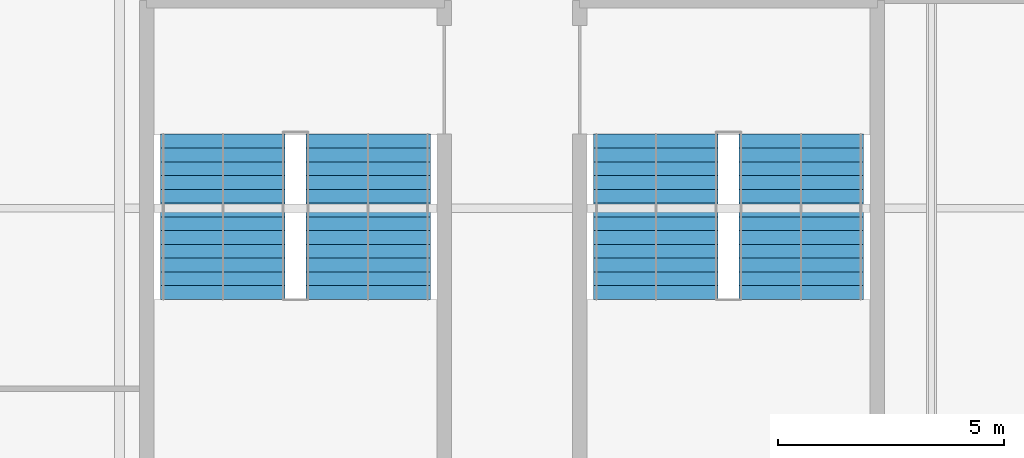
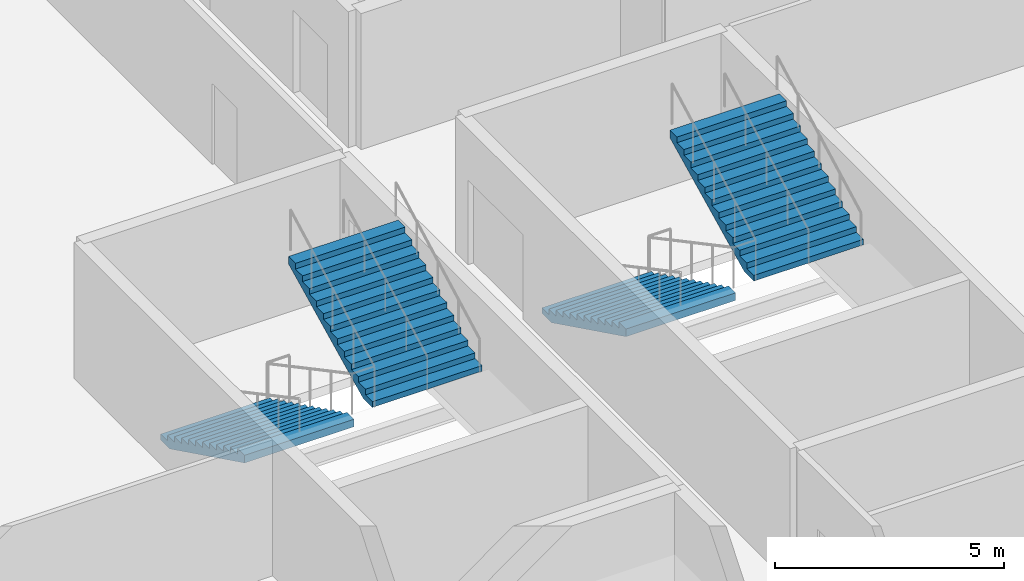
# One storey, part 88 of 98: 4 stair flights, 2 elements without a shape of their own.
"""IFC4 building model written with IfcOpenShell, lengths in metres."""

import ifcopenshell
import ifcopenshell.guid

model = None  # the IFC model being written
_history = None  # IfcOwnerHistory: only IFC2X3 demands one
_inside = {}  # id of a spatial element -> (the spatial element, [elements in it])
_under = {}  # id of a project, library or spatial element -> (it, [spatial elements below it])
_declared = {}  # id of a project -> (the project, [libraries it declares])
_typed = {}  # id of a type object -> (the type object, [elements of that type])
_made_of = {}  # id of a material, layer set ... -> (it, [elements and type objects made of it])


def new_model(schema):
    """Start an empty IFC model of exactly this schema.

    Asked for "IFC4X3", IfcOpenShell would pick the latest addendum, in which some entities
    have other attributes; the version numbers below select the first issue.
    IFC2X3 requires an IfcOwnerHistory on every rooted entity: one is made here for all.
    """
    global model, _history
    if schema == "IFC4X3":
        model = ifcopenshell.file(schema_version=(4, 3, 0, 0))
    else:
        model = ifcopenshell.file(schema=schema)
    _inside.clear()
    _under.clear()
    _declared.clear()
    _typed.clear()
    _made_of.clear()
    _history = None
    if model.schema == "IFC2X3":
        org = make("IfcOrganization", Name="unknown")
        user = make(
            "IfcPersonAndOrganization",
            ThePerson=make("IfcPerson", FamilyName="unknown"),
            TheOrganization=org,
        )
        app = make(
            "IfcApplication",
            ApplicationDeveloper=org,
            Version="unknown",
            ApplicationFullName="unknown",
            ApplicationIdentifier="unknown",
        )
        _history = make(
            "IfcOwnerHistory",
            OwningUser=user,
            OwningApplication=app,
            ChangeAction="ADDED",
            CreationDate=0,
        )
    return model


def make(cls, **values):
    """One entity of the class cls with the attributes given. An attribute that is None is left unset."""
    return model.create_entity(
        cls, **{name: value for name, value in values.items() if value is not None}
    )


def rooted(cls, **values):
    """An entity with a GlobalId (a new one), such as an element, a storey or a relation."""
    return make(cls, GlobalId=ifcopenshell.guid.new(), OwnerHistory=_history, **values)


def si_unit(unit_type, name, prefix=None):
    """IfcSIUnit, for example si_unit("LENGTHUNIT", "METRE", prefix="MILLI")."""
    return make("IfcSIUnit", UnitType=unit_type, Prefix=prefix, Name=name)


def assignment(units):
    """IfcUnitAssignment: the units of a project."""
    return None if units is None else make("IfcUnitAssignment", Units=units)


def point(xyz):
    """IfcCartesianPoint."""
    return None if xyz is None else make("IfcCartesianPoint", Coordinates=xyz)


def direction(xyz):
    """IfcDirection."""
    return None if xyz is None else make("IfcDirection", DirectionRatios=xyz)


def frame(location, z_axis=None, x_axis=None):
    """IfcAxis2Placement3D, a coordinate frame: its origin and axes. An axis left out is left unset."""
    return make(
        "IfcAxis2Placement3D",
        Location=point(location),
        Axis=direction(z_axis),
        RefDirection=direction(x_axis),
    )


def origin():
    """The frame at (0, 0, 0) with its axes left unset."""
    return frame((0.0, 0.0, 0.0))


def place(relative_to, where):
    """IfcLocalPlacement: puts the frame where relative to a parent placement (None: the world)."""
    return make(
        "IfcLocalPlacement", PlacementRelTo=relative_to, RelativePlacement=where
    )


def context(
    kind, dimensions, precision=None, world=None, true_north=None, identifier=None
):
    """IfcGeometricRepresentationContext, for example the 3D "Model" context."""
    return make(
        "IfcGeometricRepresentationContext",
        ContextIdentifier=identifier,
        ContextType=kind,
        CoordinateSpaceDimension=dimensions,
        Precision=precision,
        WorldCoordinateSystem=world,
        TrueNorth=true_north,
    )


def subcontext(parent, identifier, kind, view, scale=None):
    """IfcGeometricRepresentationSubContext, for example "Body" below "Model"."""
    return make(
        "IfcGeometricRepresentationSubContext",
        ContextIdentifier=identifier,
        ContextType=kind,
        ParentContext=parent,
        TargetScale=scale,
        TargetView=view,
    )


def project(units=None, contexts=None):
    """IfcProject with its units and contexts."""
    return rooted(
        "IfcProject",
        Name="project",
        RepresentationContexts=contexts,
        UnitsInContext=assignment(units),
    )


def spatial(cls, under=None, at=None, **own):
    """A site, building, storey or space (cls), placed at a placement, below another one or the project."""
    s = rooted(cls, ObjectPlacement=at, **own)
    if under is not None:
        _under.setdefault(under.id(), (under, []))[1].append(s)
    return s


def point_list(points):
    """IfcCartesianPointList2D or 3D."""
    cls = (
        "IfcCartesianPointList2D" if len(points[0]) == 2 else "IfcCartesianPointList3D"
    )
    return make(cls, CoordList=points)


def polygons(points, faces, closed=None, point_numbers=None):
    """IfcPolygonalFaceSet: a face is its outer loop, then its inner loops; points numbered from 1."""
    made = []
    for loops in faces:
        if len(loops) == 1:
            made.append(make("IfcIndexedPolygonalFace", CoordIndex=loops[0]))
        else:
            made.append(
                make(
                    "IfcIndexedPolygonalFaceWithVoids",
                    CoordIndex=loops[0],
                    InnerCoordIndices=loops[1:],
                )
            )
    return make(
        "IfcPolygonalFaceSet",
        Coordinates=point_list(points),
        Closed=closed,
        Faces=made,
        PnIndex=point_numbers,
    )


def shape(context_of_items, identifier, shape_type, items):
    """IfcShapeRepresentation: the items that make up one representation, for example the "Body"."""
    return make(
        "IfcShapeRepresentation",
        ContextOfItems=context_of_items,
        RepresentationIdentifier=identifier,
        RepresentationType=shape_type,
        Items=items,
    )


def material(Name=None, Category=None):
    """IfcMaterial."""
    return make("IfcMaterial", Name=Name, Category=Category)


def made_of(thing, what):
    """Note that an element or type object is made of a material, layer set ...; save() writes the relation."""
    if what is not None:
        _made_of.setdefault(what.id(), (what, []))[1].append(thing)
    return thing


def type_object(cls, material=None, **own):
    """A type object (cls), such as IfcWallType, which elements share."""
    return made_of(rooted(cls, **own), material)


def element(
    cls,
    number,
    at=None,
    inside=None,
    cuts=None,
    type_object=None,
    material=None,
    context=None,
    identifier="Body",
    shape_type=None,
    held_by="IfcProductDefinitionShape",
    body=None,
    shapes=None,
    **own,
):
    """One element of the class cls, such as IfcWall. Its Tag is "e" and its number.

    at: its placement. inside: the storey or other place that contains it. cuts: it is an
    opening in that element (IfcRelVoidsElement). A single representation is given by context,
    identifier, shape_type and body (its items); several are given by shapes. held_by: the class
    of the entity that holds the representations. save() writes the other relations.
    """
    e = rooted(cls, Tag="e%d" % number, ObjectPlacement=at, **own)
    if body is not None:
        shapes = [shape(context, identifier, shape_type, body)]
    if shapes is not None:
        e.Representation = make(held_by, Representations=shapes)
    if inside is not None:
        _inside.setdefault(inside.id(), (inside, []))[1].append(e)
    if cuts is not None:
        rooted(
            "IfcRelVoidsElement", RelatingBuildingElement=cuts, RelatedOpeningElement=e
        )
    if type_object is not None:
        _typed.setdefault(type_object.id(), (type_object, []))[1].append(e)
    return made_of(e, material)


def aggregate(whole, parts):
    """IfcRelAggregates: a whole, such as a stair, and the parts it consists of."""
    return rooted("IfcRelAggregates", RelatingObject=whole, RelatedObjects=parts)


def save(model, path):
    """Write the relations noted so far, then the file.

    IfcRelAggregates (storeys below a building ...), IfcRelContainedInSpatialStructure (elements
    in a storey), IfcRelDefinesByType, IfcRelAssociatesMaterial and IfcRelDeclares: one each for
    every whole, place, type object, material and project.
    """
    for whole, parts in _under.values():
        aggregate(whole, parts)
    for where, things in _inside.values():
        rooted(
            "IfcRelContainedInSpatialStructure",
            RelatedElements=things,
            RelatingStructure=where,
        )
    for kind, things in _typed.values():
        rooted("IfcRelDefinesByType", RelatedObjects=things, RelatingType=kind)
    for what, things in _made_of.values():
        rooted("IfcRelAssociatesMaterial", RelatedObjects=things, RelatingMaterial=what)
    for by, libraries in _declared.values():
        rooted("IfcRelDeclares", RelatingContext=by, RelatedDefinitions=libraries)
    model.write(path)


model = new_model("IFC4")

# Units and contexts
model_context = context("Model", 3, precision=1e-05, world=origin(), true_north=direction((0.0, 1.0)))
body_context = subcontext(model_context, "Body", "Model", "MODEL_VIEW")
ifc_project = project(units=[si_unit("LENGTHUNIT", "METRE"), si_unit("AREAUNIT", "SQUARE_METRE"), si_unit("VOLUMEUNIT", "CUBIC_METRE"), si_unit("PLANEANGLEUNIT", "RADIAN"), si_unit("MASSUNIT", "GRAM", prefix="KILO")], contexts=[model_context])

# Site, building, storey
site_placement = place(None, origin())
site = spatial("IfcSite", under=ifc_project, at=site_placement, CompositionType="ELEMENT")
building_placement = place(site_placement, origin())
building = spatial("IfcBuilding", under=site, at=building_placement, Name="Kisiwana Market Hall", CompositionType="ELEMENT")
storey_placement = place(building_placement, frame((0.0, 0.0, 29.39990234375)))
storey = spatial("IfcBuildingStorey", under=building, at=storey_placement, Name="L06", CompositionType="ELEMENT", Elevation=29.39990234375)

# Stair, stair flights
ifc_material_1 = material(Name="Concrete C32/40", Category="concrete")
stair_type = type_object("IfcStairType", Name="ST-ESC-3900", PredefinedType="TWO_STRAIGHT_RUN_STAIR", material=ifc_material_1)
stair_1_placement = place(storey_placement, origin())
stair_1 = element("IfcStair", 1, at=stair_1_placement, inside=storey, type_object=stair_type, Name="Escape stair ST-E4-L06", PredefinedType="TWO_STRAIGHT_RUN_STAIR")
ifc_material_2 = material(Name="Concrete C32/40", Category="concrete")
stair_flight_type = type_object("IfcStairFlightType", Name="SF-ESC-3900", PredefinedType="STRAIGHT", material=ifc_material_2)
stair_flight_1_placement = place(storey_placement, frame((182.889892578125, 77.639892578125, 0.0), z_axis=(0.0, 0.0, 1.0), x_axis=(0.0, -1.0, 0.0)))
stair_flight_1 = element("IfcStairFlight", 2, at=stair_flight_1_placement, type_object=stair_flight_type, Name="ST-E4-L06 flight 1", NumberOfRisers=13, NumberOfTreads=12, PredefinedType="STRAIGHT", RiserHeight=0.15, TreadLength=0.305, context=body_context, shape_type="Tessellation", body=[
    polygons([(0.0, -1.380127, 0.0), (0.0, -0.690125, 0.0), (0.0, -0.000122, 0.0), (0.0, 0.68988, 0.0), (0.0, 1.379883, 0.0), (0.0, -1.380127, 0.149902), (0.0, -0.690125, 0.149902), (0.0, -0.000122, 0.149902), (0.0, 0.68988, 0.149902), (0.0, 1.379883, 0.149902), (0.304932, -1.380127, 0.149902), (0.304932, -0.690125, 0.149902), (0.304932, -0.000122, 0.149902), (0.304932, 0.68988, 0.149902), (0.304932, 1.379883, 0.149902), (0.304932, -1.380127, 0.300049), (0.304932, -0.690125, 0.300049), (0.304932, -0.000122, 0.300049), (0.304932, 0.68988, 0.300049), (0.304932, 1.379883, 0.300049), (0.610107, -1.380127, 0.300049), (0.610107, -0.690125, 0.300049), (0.610107, -0.000122, 0.300049), (0.610107, 0.68988, 0.300049), (0.610107, 1.379883, 0.300049), (0.610107, -1.380127, 0.449951), (0.610107, -0.690125, 0.449951), (0.610107, -0.000122, 0.449951), (0.610107, 0.68988, 0.449951), (0.610107, 1.379883, 0.449951), (0.915039, -1.380127, 0.449951), (0.915039, -0.690125, 0.449951), (0.915039, -0.000122, 0.449951), (0.915039, 0.68988, 0.449951), (0.915039, 1.379883, 0.449951), (0.915039, -1.380127, 0.600098), (0.915039, -0.690125, 0.600098), (0.915039, -0.000122, 0.600098), (0.915039, 0.68988, 0.600098), (0.915039, 1.379883, 0.600098), (1.219971, -1.380127, 0.600098), (1.219971, -0.690125, 0.600098), (1.219971, -0.000122, 0.600098), (1.219971, 0.68988, 0.600098), (1.219971, 1.379883, 0.600098), (1.219971, -1.380127, 0.75), (1.219971, -0.690125, 0.75), (1.219971, -0.000122, 0.75), (1.219971, 0.68988, 0.75), (1.219971, 1.379883, 0.75), (1.524902, -1.380127, 0.75), (1.524902, -0.690125, 0.75), (1.524902, -0.000122, 0.75), (1.524902, 0.68988, 0.75), (1.524902, 1.379883, 0.75), (1.524902, -1.380127, 0.899902), (1.524902, -0.690125, 0.899902), (1.524902, -0.000122, 0.899902), (1.524902, 0.68988, 0.899902), (1.524902, 1.379883, 0.899902), (1.830078, -1.380127, 0.899902), (1.830078, -0.690125, 0.899902), (1.830078, -0.000122, 0.899902), (1.830078, 0.68988, 0.899902), (1.830078, 1.379883, 0.899902), (1.830078, -1.380127, 1.050049), (1.830078, -0.690125, 1.050049), (1.830078, -0.000122, 1.050049), (1.830078, 0.68988, 1.050049), (1.830078, 1.379883, 1.050049), (2.13501, -1.380127, 1.050049), (2.13501, -0.690125, 1.050049), (2.13501, -0.000122, 1.050049), (2.13501, 0.68988, 1.050049), (2.13501, 1.379883, 1.050049), (2.13501, -1.380127, 1.199951), (2.13501, -0.690125, 1.199951), (2.13501, -0.000122, 1.199951), (2.13501, 0.68988, 1.199951), (2.13501, 1.379883, 1.199951), (2.439941, -1.380127, 1.199951), (2.439941, -0.690125, 1.199951), (2.439941, -0.000122, 1.199951), (2.439941, 0.68988, 1.199951), (2.439941, 1.379883, 1.199951), (2.439941, -1.380127, 1.350098), (2.439941, -0.690125, 1.350098), (2.439941, -0.000122, 1.350098), (2.439941, 0.68988, 1.350098), (2.439941, 1.379883, 1.350098), (2.745117, -1.380127, 1.350098), (2.745117, -0.690125, 1.350098), (2.745117, -0.000122, 1.350098), (2.745117, 0.68988, 1.350098), (2.745117, 1.379883, 1.350098), (2.745117, -1.380127, 1.5), (2.745117, -0.690125, 1.5), (2.745117, -0.000122, 1.5), (2.745117, 0.68988, 1.5), (2.745117, 1.379883, 1.5), (3.050049, -1.380127, 1.5), (3.050049, -0.690125, 1.5), (3.050049, -0.000122, 1.5), (3.050049, 0.68988, 1.5), (3.050049, 1.379883, 1.5), (3.050049, -1.380127, 1.649902), (3.050049, -0.690125, 1.649902), (3.050049, -0.000122, 1.649902), (3.050049, 0.68988, 1.649902), (3.050049, 1.379883, 1.649902), (3.35498, -1.380127, 1.649902), (3.35498, -0.690125, 1.649902), (3.35498, -0.000122, 1.649902), (3.35498, 0.68988, 1.649902), (3.35498, 1.379883, 1.649902), (3.35498, -1.380127, 1.800049), (3.35498, -0.690125, 1.800049), (3.35498, -0.000122, 1.800049), (3.35498, 0.68988, 1.800049), (3.35498, 1.379883, 1.800049), (3.659912, -1.380127, 1.800049), (3.659912, -0.690125, 1.800049), (3.659912, -0.000122, 1.800049), (3.659912, 0.68988, 1.800049), (3.659912, 1.379883, 1.800049), (3.659912, -1.380127, 1.599365), (3.659912, -0.690125, 1.599365), (3.659912, -0.000122, 1.599365), (3.659912, 0.68988, 1.599365), (3.659912, 1.379883, 1.599365), (0.407715, -1.380127, 0.0), (0.407715, -0.690125, 0.0), (0.407715, -0.000122, 0.0), (0.407715, 0.68988, 0.0), (0.407715, 1.379883, 0.0)], [[[1, 6, 7, 2]], [[2, 7, 8, 3]], [[3, 8, 9, 4]], [[4, 9, 10, 5]], [[6, 11, 12, 7]], [[7, 12, 13, 8]], [[8, 13, 14, 9]], [[9, 14, 15, 10]], [[11, 16, 17, 12]], [[12, 17, 18, 13]], [[13, 18, 19, 14]], [[14, 19, 20, 15]], [[16, 21, 22, 17]], [[17, 22, 23, 18]], [[18, 23, 24, 19]], [[19, 24, 25, 20]], [[21, 26, 27, 22]], [[22, 27, 28, 23]], [[23, 28, 29, 24]], [[24, 29, 30, 25]], [[26, 31, 32, 27]], [[27, 32, 33, 28]], [[28, 33, 34, 29]], [[29, 34, 35, 30]], [[31, 36, 37, 32]], [[32, 37, 38, 33]], [[33, 38, 39, 34]], [[34, 39, 40, 35]], [[36, 41, 42, 37]], [[37, 42, 43, 38]], [[38, 43, 44, 39]], [[39, 44, 45, 40]], [[41, 46, 47, 42]], [[42, 47, 48, 43]], [[43, 48, 49, 44]], [[44, 49, 50, 45]], [[46, 51, 52, 47]], [[47, 52, 53, 48]], [[48, 53, 54, 49]], [[49, 54, 55, 50]], [[51, 56, 57, 52]], [[52, 57, 58, 53]], [[53, 58, 59, 54]], [[54, 59, 60, 55]], [[56, 61, 62, 57]], [[57, 62, 63, 58]], [[58, 63, 64, 59]], [[59, 64, 65, 60]], [[61, 66, 67, 62]], [[62, 67, 68, 63]], [[63, 68, 69, 64]], [[64, 69, 70, 65]], [[66, 71, 72, 67]], [[67, 72, 73, 68]], [[68, 73, 74, 69]], [[69, 74, 75, 70]], [[71, 76, 77, 72]], [[72, 77, 78, 73]], [[73, 78, 79, 74]], [[74, 79, 80, 75]], [[76, 81, 82, 77]], [[77, 82, 83, 78]], [[78, 83, 84, 79]], [[79, 84, 85, 80]], [[81, 86, 87, 82]], [[82, 87, 88, 83]], [[83, 88, 89, 84]], [[84, 89, 90, 85]], [[86, 91, 92, 87]], [[87, 92, 93, 88]], [[88, 93, 94, 89]], [[89, 94, 95, 90]], [[91, 96, 97, 92]], [[92, 97, 98, 93]], [[93, 98, 99, 94]], [[94, 99, 100, 95]], [[96, 101, 102, 97]], [[97, 102, 103, 98]], [[98, 103, 104, 99]], [[99, 104, 105, 100]], [[101, 106, 107, 102]], [[102, 107, 108, 103]], [[103, 108, 109, 104]], [[104, 109, 110, 105]], [[106, 111, 112, 107]], [[107, 112, 113, 108]], [[108, 113, 114, 109]], [[109, 114, 115, 110]], [[111, 116, 117, 112]], [[112, 117, 118, 113]], [[113, 118, 119, 114]], [[114, 119, 120, 115]], [[116, 121, 122, 117]], [[117, 122, 123, 118]], [[118, 123, 124, 119]], [[119, 124, 125, 120]], [[121, 126, 127, 122]], [[122, 127, 128, 123]], [[123, 128, 129, 124]], [[124, 129, 130, 125]], [[126, 131, 132, 127]], [[127, 132, 133, 128]], [[128, 133, 134, 129]], [[129, 134, 135, 130]], [[131, 1, 2, 132]], [[132, 2, 3, 133]], [[133, 3, 4, 134]], [[134, 4, 5, 135]], [[131, 126, 121, 116, 111, 106, 101, 96, 91, 86, 81, 76, 71, 66, 61, 56, 51, 46, 41, 36, 31, 26, 21, 16, 11, 6, 1]], [[5, 10, 15, 20, 25, 30, 35, 40, 45, 50, 55, 60, 65, 70, 75, 80, 85, 90, 95, 100, 105, 110, 115, 120, 125, 130, 135]]], closed=True),
])
stair_flight_2_placement = place(storey_placement, frame((186.110107421875, 73.97998046875, 1.9501953125), z_axis=(0.0, 0.0, 1.0), x_axis=(0.0, 1.0, 0.0)))
stair_flight_2 = element("IfcStairFlight", 3, at=stair_flight_2_placement, type_object=stair_flight_type, Name="ST-E4-L06 flight 2", NumberOfRisers=13, NumberOfTreads=12, PredefinedType="STRAIGHT", RiserHeight=0.15, TreadLength=0.305, context=body_context, shape_type="Tessellation", body=[
    polygons([(0.0, -1.380127, 0.0), (0.0, -0.690125, 0.0), (0.0, -0.000122, 0.0), (0.0, 0.68988, 0.0), (0.0, 1.379883, 0.0), (0.0, -1.380127, 0.149902), (0.0, -0.690125, 0.149902), (0.0, -0.000122, 0.149902), (0.0, 0.68988, 0.149902), (0.0, 1.379883, 0.149902), (0.304932, -1.380127, 0.149902), (0.304932, -0.690125, 0.149902), (0.304932, -0.000122, 0.149902), (0.304932, 0.68988, 0.149902), (0.304932, 1.379883, 0.149902), (0.304932, -1.380127, 0.300049), (0.304932, -0.690125, 0.300049), (0.304932, -0.000122, 0.300049), (0.304932, 0.68988, 0.300049), (0.304932, 1.379883, 0.300049), (0.610107, -1.380127, 0.300049), (0.610107, -0.690125, 0.300049), (0.610107, -0.000122, 0.300049), (0.610107, 0.68988, 0.300049), (0.610107, 1.379883, 0.300049), (0.610107, -1.380127, 0.449951), (0.610107, -0.690125, 0.449951), (0.610107, -0.000122, 0.449951), (0.610107, 0.68988, 0.449951), (0.610107, 1.379883, 0.449951), (0.915039, -1.380127, 0.449951), (0.915039, -0.690125, 0.449951), (0.915039, -0.000122, 0.449951), (0.915039, 0.68988, 0.449951), (0.915039, 1.379883, 0.449951), (0.915039, -1.380127, 0.600098), (0.915039, -0.690125, 0.600098), (0.915039, -0.000122, 0.600098), (0.915039, 0.68988, 0.600098), (0.915039, 1.379883, 0.600098), (1.219971, -1.380127, 0.600098), (1.219971, -0.690125, 0.600098), (1.219971, -0.000122, 0.600098), (1.219971, 0.68988, 0.600098), (1.219971, 1.379883, 0.600098), (1.219971, -1.380127, 0.75), (1.219971, -0.690125, 0.75), (1.219971, -0.000122, 0.75), (1.219971, 0.68988, 0.75), (1.219971, 1.379883, 0.75), (1.524902, -1.380127, 0.75), (1.524902, -0.690125, 0.75), (1.524902, -0.000122, 0.75), (1.524902, 0.68988, 0.75), (1.524902, 1.379883, 0.75), (1.524902, -1.380127, 0.899902), (1.524902, -0.690125, 0.899902), (1.524902, -0.000122, 0.899902), (1.524902, 0.68988, 0.899902), (1.524902, 1.379883, 0.899902), (1.830078, -1.380127, 0.899902), (1.830078, -0.690125, 0.899902), (1.830078, -0.000122, 0.899902), (1.830078, 0.68988, 0.899902), (1.830078, 1.379883, 0.899902), (1.830078, -1.380127, 1.050049), (1.830078, -0.690125, 1.050049), (1.830078, -0.000122, 1.050049), (1.830078, 0.68988, 1.050049), (1.830078, 1.379883, 1.050049), (2.13501, -1.380127, 1.050049), (2.13501, -0.690125, 1.050049), (2.13501, -0.000122, 1.050049), (2.13501, 0.68988, 1.050049), (2.13501, 1.379883, 1.050049), (2.13501, -1.380127, 1.199951), (2.13501, -0.690125, 1.199951), (2.13501, -0.000122, 1.199951), (2.13501, 0.68988, 1.199951), (2.13501, 1.379883, 1.199951), (2.439941, -1.380127, 1.199951), (2.439941, -0.690125, 1.199951), (2.439941, -0.000122, 1.199951), (2.439941, 0.68988, 1.199951), (2.439941, 1.379883, 1.199951), (2.439941, -1.380127, 1.350098), (2.439941, -0.690125, 1.350098), (2.439941, -0.000122, 1.350098), (2.439941, 0.68988, 1.350098), (2.439941, 1.379883, 1.350098), (2.745117, -1.380127, 1.350098), (2.745117, -0.690125, 1.350098), (2.745117, -0.000122, 1.350098), (2.745117, 0.68988, 1.350098), (2.745117, 1.379883, 1.350098), (2.745117, -1.380127, 1.5), (2.745117, -0.690125, 1.5), (2.745117, -0.000122, 1.5), (2.745117, 0.68988, 1.5), (2.745117, 1.379883, 1.5), (3.050049, -1.380127, 1.5), (3.050049, -0.690125, 1.5), (3.050049, -0.000122, 1.5), (3.050049, 0.68988, 1.5), (3.050049, 1.379883, 1.5), (3.050049, -1.380127, 1.649902), (3.050049, -0.690125, 1.649902), (3.050049, -0.000122, 1.649902), (3.050049, 0.68988, 1.649902), (3.050049, 1.379883, 1.649902), (3.35498, -1.380127, 1.649902), (3.35498, -0.690125, 1.649902), (3.35498, -0.000122, 1.649902), (3.35498, 0.68988, 1.649902), (3.35498, 1.379883, 1.649902), (3.35498, -1.380127, 1.800049), (3.35498, -0.690125, 1.800049), (3.35498, -0.000122, 1.800049), (3.35498, 0.68988, 1.800049), (3.35498, 1.379883, 1.800049), (3.659912, -1.380127, 1.800049), (3.659912, -0.690125, 1.800049), (3.659912, -0.000122, 1.800049), (3.659912, 0.68988, 1.800049), (3.659912, 1.379883, 1.800049), (3.659912, -1.380127, 1.599365), (3.659912, -0.690125, 1.599365), (3.659912, -0.000122, 1.599365), (3.659912, 0.68988, 1.599365), (3.659912, 1.379883, 1.599365), (0.407715, -1.380127, 0.0), (0.407715, -0.690125, 0.0), (0.407715, -0.000122, 0.0), (0.407715, 0.68988, 0.0), (0.407715, 1.379883, 0.0)], [[[1, 6, 7, 2]], [[2, 7, 8, 3]], [[3, 8, 9, 4]], [[4, 9, 10, 5]], [[6, 11, 12, 7]], [[7, 12, 13, 8]], [[8, 13, 14, 9]], [[9, 14, 15, 10]], [[11, 16, 17, 12]], [[12, 17, 18, 13]], [[13, 18, 19, 14]], [[14, 19, 20, 15]], [[16, 21, 22, 17]], [[17, 22, 23, 18]], [[18, 23, 24, 19]], [[19, 24, 25, 20]], [[21, 26, 27, 22]], [[22, 27, 28, 23]], [[23, 28, 29, 24]], [[24, 29, 30, 25]], [[26, 31, 32, 27]], [[27, 32, 33, 28]], [[28, 33, 34, 29]], [[29, 34, 35, 30]], [[31, 36, 37, 32]], [[32, 37, 38, 33]], [[33, 38, 39, 34]], [[34, 39, 40, 35]], [[36, 41, 42, 37]], [[37, 42, 43, 38]], [[38, 43, 44, 39]], [[39, 44, 45, 40]], [[41, 46, 47, 42]], [[42, 47, 48, 43]], [[43, 48, 49, 44]], [[44, 49, 50, 45]], [[46, 51, 52, 47]], [[47, 52, 53, 48]], [[48, 53, 54, 49]], [[49, 54, 55, 50]], [[51, 56, 57, 52]], [[52, 57, 58, 53]], [[53, 58, 59, 54]], [[54, 59, 60, 55]], [[56, 61, 62, 57]], [[57, 62, 63, 58]], [[58, 63, 64, 59]], [[59, 64, 65, 60]], [[61, 66, 67, 62]], [[62, 67, 68, 63]], [[63, 68, 69, 64]], [[64, 69, 70, 65]], [[66, 71, 72, 67]], [[67, 72, 73, 68]], [[68, 73, 74, 69]], [[69, 74, 75, 70]], [[71, 76, 77, 72]], [[72, 77, 78, 73]], [[73, 78, 79, 74]], [[74, 79, 80, 75]], [[76, 81, 82, 77]], [[77, 82, 83, 78]], [[78, 83, 84, 79]], [[79, 84, 85, 80]], [[81, 86, 87, 82]], [[82, 87, 88, 83]], [[83, 88, 89, 84]], [[84, 89, 90, 85]], [[86, 91, 92, 87]], [[87, 92, 93, 88]], [[88, 93, 94, 89]], [[89, 94, 95, 90]], [[91, 96, 97, 92]], [[92, 97, 98, 93]], [[93, 98, 99, 94]], [[94, 99, 100, 95]], [[96, 101, 102, 97]], [[97, 102, 103, 98]], [[98, 103, 104, 99]], [[99, 104, 105, 100]], [[101, 106, 107, 102]], [[102, 107, 108, 103]], [[103, 108, 109, 104]], [[104, 109, 110, 105]], [[106, 111, 112, 107]], [[107, 112, 113, 108]], [[108, 113, 114, 109]], [[109, 114, 115, 110]], [[111, 116, 117, 112]], [[112, 117, 118, 113]], [[113, 118, 119, 114]], [[114, 119, 120, 115]], [[116, 121, 122, 117]], [[117, 122, 123, 118]], [[118, 123, 124, 119]], [[119, 124, 125, 120]], [[121, 126, 127, 122]], [[122, 127, 128, 123]], [[123, 128, 129, 124]], [[124, 129, 130, 125]], [[126, 131, 132, 127]], [[127, 132, 133, 128]], [[128, 133, 134, 129]], [[129, 134, 135, 130]], [[131, 1, 2, 132]], [[132, 2, 3, 133]], [[133, 3, 4, 134]], [[134, 4, 5, 135]], [[131, 126, 121, 116, 111, 106, 101, 96, 91, 86, 81, 76, 71, 66, 61, 56, 51, 46, 41, 36, 31, 26, 21, 16, 11, 6, 1]], [[5, 10, 15, 20, 25, 30, 35, 40, 45, 50, 55, 60, 65, 70, 75, 80, 85, 90, 95, 100, 105, 110, 115, 120, 125, 130, 135]]], closed=True),
])
aggregate(stair_1, [stair_flight_1, stair_flight_2])

stair_2_placement = place(storey_placement, origin())
stair_2 = element("IfcStair", 4, at=stair_2_placement, inside=storey, type_object=stair_type, Name="Escape stair ST-E8-L06", PredefinedType="TWO_STRAIGHT_RUN_STAIR")
stair_flight_3_placement = place(storey_placement, frame((173.2900390625, 77.639892578125, 0.0), z_axis=(0.0, 0.0, 1.0), x_axis=(0.0, -1.0, 0.0)))
stair_flight_3 = element("IfcStairFlight", 5, at=stair_flight_3_placement, type_object=stair_flight_type, Name="ST-E8-L06 flight 1", NumberOfRisers=13, NumberOfTreads=12, PredefinedType="STRAIGHT", RiserHeight=0.15, TreadLength=0.305, context=body_context, shape_type="Tessellation", body=[
    polygons([(0.0, -1.380127, 0.0), (0.0, -0.690125, 0.0), (0.0, -0.000122, 0.0), (0.0, 0.68988, 0.0), (0.0, 1.379883, 0.0), (0.0, -1.380127, 0.149902), (0.0, -0.690125, 0.149902), (0.0, -0.000122, 0.149902), (0.0, 0.68988, 0.149902), (0.0, 1.379883, 0.149902), (0.304932, -1.380127, 0.149902), (0.304932, -0.690125, 0.149902), (0.304932, -0.000122, 0.149902), (0.304932, 0.68988, 0.149902), (0.304932, 1.379883, 0.149902), (0.304932, -1.380127, 0.300049), (0.304932, -0.690125, 0.300049), (0.304932, -0.000122, 0.300049), (0.304932, 0.68988, 0.300049), (0.304932, 1.379883, 0.300049), (0.610107, -1.380127, 0.300049), (0.610107, -0.690125, 0.300049), (0.610107, -0.000122, 0.300049), (0.610107, 0.68988, 0.300049), (0.610107, 1.379883, 0.300049), (0.610107, -1.380127, 0.449951), (0.610107, -0.690125, 0.449951), (0.610107, -0.000122, 0.449951), (0.610107, 0.68988, 0.449951), (0.610107, 1.379883, 0.449951), (0.915039, -1.380127, 0.449951), (0.915039, -0.690125, 0.449951), (0.915039, -0.000122, 0.449951), (0.915039, 0.68988, 0.449951), (0.915039, 1.379883, 0.449951), (0.915039, -1.380127, 0.600098), (0.915039, -0.690125, 0.600098), (0.915039, -0.000122, 0.600098), (0.915039, 0.68988, 0.600098), (0.915039, 1.379883, 0.600098), (1.219971, -1.380127, 0.600098), (1.219971, -0.690125, 0.600098), (1.219971, -0.000122, 0.600098), (1.219971, 0.68988, 0.600098), (1.219971, 1.379883, 0.600098), (1.219971, -1.380127, 0.75), (1.219971, -0.690125, 0.75), (1.219971, -0.000122, 0.75), (1.219971, 0.68988, 0.75), (1.219971, 1.379883, 0.75), (1.524902, -1.380127, 0.75), (1.524902, -0.690125, 0.75), (1.524902, -0.000122, 0.75), (1.524902, 0.68988, 0.75), (1.524902, 1.379883, 0.75), (1.524902, -1.380127, 0.899902), (1.524902, -0.690125, 0.899902), (1.524902, -0.000122, 0.899902), (1.524902, 0.68988, 0.899902), (1.524902, 1.379883, 0.899902), (1.830078, -1.380127, 0.899902), (1.830078, -0.690125, 0.899902), (1.830078, -0.000122, 0.899902), (1.830078, 0.68988, 0.899902), (1.830078, 1.379883, 0.899902), (1.830078, -1.380127, 1.050049), (1.830078, -0.690125, 1.050049), (1.830078, -0.000122, 1.050049), (1.830078, 0.68988, 1.050049), (1.830078, 1.379883, 1.050049), (2.13501, -1.380127, 1.050049), (2.13501, -0.690125, 1.050049), (2.13501, -0.000122, 1.050049), (2.13501, 0.68988, 1.050049), (2.13501, 1.379883, 1.050049), (2.13501, -1.380127, 1.199951), (2.13501, -0.690125, 1.199951), (2.13501, -0.000122, 1.199951), (2.13501, 0.68988, 1.199951), (2.13501, 1.379883, 1.199951), (2.439941, -1.380127, 1.199951), (2.439941, -0.690125, 1.199951), (2.439941, -0.000122, 1.199951), (2.439941, 0.68988, 1.199951), (2.439941, 1.379883, 1.199951), (2.439941, -1.380127, 1.350098), (2.439941, -0.690125, 1.350098), (2.439941, -0.000122, 1.350098), (2.439941, 0.68988, 1.350098), (2.439941, 1.379883, 1.350098), (2.745117, -1.380127, 1.350098), (2.745117, -0.690125, 1.350098), (2.745117, -0.000122, 1.350098), (2.745117, 0.68988, 1.350098), (2.745117, 1.379883, 1.350098), (2.745117, -1.380127, 1.5), (2.745117, -0.690125, 1.5), (2.745117, -0.000122, 1.5), (2.745117, 0.68988, 1.5), (2.745117, 1.379883, 1.5), (3.050049, -1.380127, 1.5), (3.050049, -0.690125, 1.5), (3.050049, -0.000122, 1.5), (3.050049, 0.68988, 1.5), (3.050049, 1.379883, 1.5), (3.050049, -1.380127, 1.649902), (3.050049, -0.690125, 1.649902), (3.050049, -0.000122, 1.649902), (3.050049, 0.68988, 1.649902), (3.050049, 1.379883, 1.649902), (3.35498, -1.380127, 1.649902), (3.35498, -0.690125, 1.649902), (3.35498, -0.000122, 1.649902), (3.35498, 0.68988, 1.649902), (3.35498, 1.379883, 1.649902), (3.35498, -1.380127, 1.800049), (3.35498, -0.690125, 1.800049), (3.35498, -0.000122, 1.800049), (3.35498, 0.68988, 1.800049), (3.35498, 1.379883, 1.800049), (3.659912, -1.380127, 1.800049), (3.659912, -0.690125, 1.800049), (3.659912, -0.000122, 1.800049), (3.659912, 0.68988, 1.800049), (3.659912, 1.379883, 1.800049), (3.659912, -1.380127, 1.599365), (3.659912, -0.690125, 1.599365), (3.659912, -0.000122, 1.599365), (3.659912, 0.68988, 1.599365), (3.659912, 1.379883, 1.599365), (0.407715, -1.380127, 0.0), (0.407715, -0.690125, 0.0), (0.407715, -0.000122, 0.0), (0.407715, 0.68988, 0.0), (0.407715, 1.379883, 0.0)], [[[1, 6, 7, 2]], [[2, 7, 8, 3]], [[3, 8, 9, 4]], [[4, 9, 10, 5]], [[6, 11, 12, 7]], [[7, 12, 13, 8]], [[8, 13, 14, 9]], [[9, 14, 15, 10]], [[11, 16, 17, 12]], [[12, 17, 18, 13]], [[13, 18, 19, 14]], [[14, 19, 20, 15]], [[16, 21, 22, 17]], [[17, 22, 23, 18]], [[18, 23, 24, 19]], [[19, 24, 25, 20]], [[21, 26, 27, 22]], [[22, 27, 28, 23]], [[23, 28, 29, 24]], [[24, 29, 30, 25]], [[26, 31, 32, 27]], [[27, 32, 33, 28]], [[28, 33, 34, 29]], [[29, 34, 35, 30]], [[31, 36, 37, 32]], [[32, 37, 38, 33]], [[33, 38, 39, 34]], [[34, 39, 40, 35]], [[36, 41, 42, 37]], [[37, 42, 43, 38]], [[38, 43, 44, 39]], [[39, 44, 45, 40]], [[41, 46, 47, 42]], [[42, 47, 48, 43]], [[43, 48, 49, 44]], [[44, 49, 50, 45]], [[46, 51, 52, 47]], [[47, 52, 53, 48]], [[48, 53, 54, 49]], [[49, 54, 55, 50]], [[51, 56, 57, 52]], [[52, 57, 58, 53]], [[53, 58, 59, 54]], [[54, 59, 60, 55]], [[56, 61, 62, 57]], [[57, 62, 63, 58]], [[58, 63, 64, 59]], [[59, 64, 65, 60]], [[61, 66, 67, 62]], [[62, 67, 68, 63]], [[63, 68, 69, 64]], [[64, 69, 70, 65]], [[66, 71, 72, 67]], [[67, 72, 73, 68]], [[68, 73, 74, 69]], [[69, 74, 75, 70]], [[71, 76, 77, 72]], [[72, 77, 78, 73]], [[73, 78, 79, 74]], [[74, 79, 80, 75]], [[76, 81, 82, 77]], [[77, 82, 83, 78]], [[78, 83, 84, 79]], [[79, 84, 85, 80]], [[81, 86, 87, 82]], [[82, 87, 88, 83]], [[83, 88, 89, 84]], [[84, 89, 90, 85]], [[86, 91, 92, 87]], [[87, 92, 93, 88]], [[88, 93, 94, 89]], [[89, 94, 95, 90]], [[91, 96, 97, 92]], [[92, 97, 98, 93]], [[93, 98, 99, 94]], [[94, 99, 100, 95]], [[96, 101, 102, 97]], [[97, 102, 103, 98]], [[98, 103, 104, 99]], [[99, 104, 105, 100]], [[101, 106, 107, 102]], [[102, 107, 108, 103]], [[103, 108, 109, 104]], [[104, 109, 110, 105]], [[106, 111, 112, 107]], [[107, 112, 113, 108]], [[108, 113, 114, 109]], [[109, 114, 115, 110]], [[111, 116, 117, 112]], [[112, 117, 118, 113]], [[113, 118, 119, 114]], [[114, 119, 120, 115]], [[116, 121, 122, 117]], [[117, 122, 123, 118]], [[118, 123, 124, 119]], [[119, 124, 125, 120]], [[121, 126, 127, 122]], [[122, 127, 128, 123]], [[123, 128, 129, 124]], [[124, 129, 130, 125]], [[126, 131, 132, 127]], [[127, 132, 133, 128]], [[128, 133, 134, 129]], [[129, 134, 135, 130]], [[131, 1, 2, 132]], [[132, 2, 3, 133]], [[133, 3, 4, 134]], [[134, 4, 5, 135]], [[131, 126, 121, 116, 111, 106, 101, 96, 91, 86, 81, 76, 71, 66, 61, 56, 51, 46, 41, 36, 31, 26, 21, 16, 11, 6, 1]], [[5, 10, 15, 20, 25, 30, 35, 40, 45, 50, 55, 60, 65, 70, 75, 80, 85, 90, 95, 100, 105, 110, 115, 120, 125, 130, 135]]], closed=True),
])
stair_flight_4_placement = place(storey_placement, frame((176.510009765625, 73.97998046875, 1.9501953125), z_axis=(0.0, 0.0, 1.0), x_axis=(0.0, 1.0, 0.0)))
stair_flight_4 = element("IfcStairFlight", 6, at=stair_flight_4_placement, type_object=stair_flight_type, Name="ST-E8-L06 flight 2", NumberOfRisers=13, NumberOfTreads=12, PredefinedType="STRAIGHT", RiserHeight=0.15, TreadLength=0.305, context=body_context, shape_type="Tessellation", body=[
    polygons([(0.0, -1.380127, 0.0), (0.0, -0.690125, 0.0), (0.0, -0.000122, 0.0), (0.0, 0.68988, 0.0), (0.0, 1.379883, 0.0), (0.0, -1.380127, 0.149902), (0.0, -0.690125, 0.149902), (0.0, -0.000122, 0.149902), (0.0, 0.68988, 0.149902), (0.0, 1.379883, 0.149902), (0.304932, -1.380127, 0.149902), (0.304932, -0.690125, 0.149902), (0.304932, -0.000122, 0.149902), (0.304932, 0.68988, 0.149902), (0.304932, 1.379883, 0.149902), (0.304932, -1.380127, 0.300049), (0.304932, -0.690125, 0.300049), (0.304932, -0.000122, 0.300049), (0.304932, 0.68988, 0.300049), (0.304932, 1.379883, 0.300049), (0.610107, -1.380127, 0.300049), (0.610107, -0.690125, 0.300049), (0.610107, -0.000122, 0.300049), (0.610107, 0.68988, 0.300049), (0.610107, 1.379883, 0.300049), (0.610107, -1.380127, 0.449951), (0.610107, -0.690125, 0.449951), (0.610107, -0.000122, 0.449951), (0.610107, 0.68988, 0.449951), (0.610107, 1.379883, 0.449951), (0.915039, -1.380127, 0.449951), (0.915039, -0.690125, 0.449951), (0.915039, -0.000122, 0.449951), (0.915039, 0.68988, 0.449951), (0.915039, 1.379883, 0.449951), (0.915039, -1.380127, 0.600098), (0.915039, -0.690125, 0.600098), (0.915039, -0.000122, 0.600098), (0.915039, 0.68988, 0.600098), (0.915039, 1.379883, 0.600098), (1.219971, -1.380127, 0.600098), (1.219971, -0.690125, 0.600098), (1.219971, -0.000122, 0.600098), (1.219971, 0.68988, 0.600098), (1.219971, 1.379883, 0.600098), (1.219971, -1.380127, 0.75), (1.219971, -0.690125, 0.75), (1.219971, -0.000122, 0.75), (1.219971, 0.68988, 0.75), (1.219971, 1.379883, 0.75), (1.524902, -1.380127, 0.75), (1.524902, -0.690125, 0.75), (1.524902, -0.000122, 0.75), (1.524902, 0.68988, 0.75), (1.524902, 1.379883, 0.75), (1.524902, -1.380127, 0.899902), (1.524902, -0.690125, 0.899902), (1.524902, -0.000122, 0.899902), (1.524902, 0.68988, 0.899902), (1.524902, 1.379883, 0.899902), (1.830078, -1.380127, 0.899902), (1.830078, -0.690125, 0.899902), (1.830078, -0.000122, 0.899902), (1.830078, 0.68988, 0.899902), (1.830078, 1.379883, 0.899902), (1.830078, -1.380127, 1.050049), (1.830078, -0.690125, 1.050049), (1.830078, -0.000122, 1.050049), (1.830078, 0.68988, 1.050049), (1.830078, 1.379883, 1.050049), (2.13501, -1.380127, 1.050049), (2.13501, -0.690125, 1.050049), (2.13501, -0.000122, 1.050049), (2.13501, 0.68988, 1.050049), (2.13501, 1.379883, 1.050049), (2.13501, -1.380127, 1.199951), (2.13501, -0.690125, 1.199951), (2.13501, -0.000122, 1.199951), (2.13501, 0.68988, 1.199951), (2.13501, 1.379883, 1.199951), (2.439941, -1.380127, 1.199951), (2.439941, -0.690125, 1.199951), (2.439941, -0.000122, 1.199951), (2.439941, 0.68988, 1.199951), (2.439941, 1.379883, 1.199951), (2.439941, -1.380127, 1.350098), (2.439941, -0.690125, 1.350098), (2.439941, -0.000122, 1.350098), (2.439941, 0.68988, 1.350098), (2.439941, 1.379883, 1.350098), (2.745117, -1.380127, 1.350098), (2.745117, -0.690125, 1.350098), (2.745117, -0.000122, 1.350098), (2.745117, 0.68988, 1.350098), (2.745117, 1.379883, 1.350098), (2.745117, -1.380127, 1.5), (2.745117, -0.690125, 1.5), (2.745117, -0.000122, 1.5), (2.745117, 0.68988, 1.5), (2.745117, 1.379883, 1.5), (3.050049, -1.380127, 1.5), (3.050049, -0.690125, 1.5), (3.050049, -0.000122, 1.5), (3.050049, 0.68988, 1.5), (3.050049, 1.379883, 1.5), (3.050049, -1.380127, 1.649902), (3.050049, -0.690125, 1.649902), (3.050049, -0.000122, 1.649902), (3.050049, 0.68988, 1.649902), (3.050049, 1.379883, 1.649902), (3.35498, -1.380127, 1.649902), (3.35498, -0.690125, 1.649902), (3.35498, -0.000122, 1.649902), (3.35498, 0.68988, 1.649902), (3.35498, 1.379883, 1.649902), (3.35498, -1.380127, 1.800049), (3.35498, -0.690125, 1.800049), (3.35498, -0.000122, 1.800049), (3.35498, 0.68988, 1.800049), (3.35498, 1.379883, 1.800049), (3.659912, -1.380127, 1.800049), (3.659912, -0.690125, 1.800049), (3.659912, -0.000122, 1.800049), (3.659912, 0.68988, 1.800049), (3.659912, 1.379883, 1.800049), (3.659912, -1.380127, 1.599365), (3.659912, -0.690125, 1.599365), (3.659912, -0.000122, 1.599365), (3.659912, 0.68988, 1.599365), (3.659912, 1.379883, 1.599365), (0.407715, -1.380127, 0.0), (0.407715, -0.690125, 0.0), (0.407715, -0.000122, 0.0), (0.407715, 0.68988, 0.0), (0.407715, 1.379883, 0.0)], [[[1, 6, 7, 2]], [[2, 7, 8, 3]], [[3, 8, 9, 4]], [[4, 9, 10, 5]], [[6, 11, 12, 7]], [[7, 12, 13, 8]], [[8, 13, 14, 9]], [[9, 14, 15, 10]], [[11, 16, 17, 12]], [[12, 17, 18, 13]], [[13, 18, 19, 14]], [[14, 19, 20, 15]], [[16, 21, 22, 17]], [[17, 22, 23, 18]], [[18, 23, 24, 19]], [[19, 24, 25, 20]], [[21, 26, 27, 22]], [[22, 27, 28, 23]], [[23, 28, 29, 24]], [[24, 29, 30, 25]], [[26, 31, 32, 27]], [[27, 32, 33, 28]], [[28, 33, 34, 29]], [[29, 34, 35, 30]], [[31, 36, 37, 32]], [[32, 37, 38, 33]], [[33, 38, 39, 34]], [[34, 39, 40, 35]], [[36, 41, 42, 37]], [[37, 42, 43, 38]], [[38, 43, 44, 39]], [[39, 44, 45, 40]], [[41, 46, 47, 42]], [[42, 47, 48, 43]], [[43, 48, 49, 44]], [[44, 49, 50, 45]], [[46, 51, 52, 47]], [[47, 52, 53, 48]], [[48, 53, 54, 49]], [[49, 54, 55, 50]], [[51, 56, 57, 52]], [[52, 57, 58, 53]], [[53, 58, 59, 54]], [[54, 59, 60, 55]], [[56, 61, 62, 57]], [[57, 62, 63, 58]], [[58, 63, 64, 59]], [[59, 64, 65, 60]], [[61, 66, 67, 62]], [[62, 67, 68, 63]], [[63, 68, 69, 64]], [[64, 69, 70, 65]], [[66, 71, 72, 67]], [[67, 72, 73, 68]], [[68, 73, 74, 69]], [[69, 74, 75, 70]], [[71, 76, 77, 72]], [[72, 77, 78, 73]], [[73, 78, 79, 74]], [[74, 79, 80, 75]], [[76, 81, 82, 77]], [[77, 82, 83, 78]], [[78, 83, 84, 79]], [[79, 84, 85, 80]], [[81, 86, 87, 82]], [[82, 87, 88, 83]], [[83, 88, 89, 84]], [[84, 89, 90, 85]], [[86, 91, 92, 87]], [[87, 92, 93, 88]], [[88, 93, 94, 89]], [[89, 94, 95, 90]], [[91, 96, 97, 92]], [[92, 97, 98, 93]], [[93, 98, 99, 94]], [[94, 99, 100, 95]], [[96, 101, 102, 97]], [[97, 102, 103, 98]], [[98, 103, 104, 99]], [[99, 104, 105, 100]], [[101, 106, 107, 102]], [[102, 107, 108, 103]], [[103, 108, 109, 104]], [[104, 109, 110, 105]], [[106, 111, 112, 107]], [[107, 112, 113, 108]], [[108, 113, 114, 109]], [[109, 114, 115, 110]], [[111, 116, 117, 112]], [[112, 117, 118, 113]], [[113, 118, 119, 114]], [[114, 119, 120, 115]], [[116, 121, 122, 117]], [[117, 122, 123, 118]], [[118, 123, 124, 119]], [[119, 124, 125, 120]], [[121, 126, 127, 122]], [[122, 127, 128, 123]], [[123, 128, 129, 124]], [[124, 129, 130, 125]], [[126, 131, 132, 127]], [[127, 132, 133, 128]], [[128, 133, 134, 129]], [[129, 134, 135, 130]], [[131, 1, 2, 132]], [[132, 2, 3, 133]], [[133, 3, 4, 134]], [[134, 4, 5, 135]], [[131, 126, 121, 116, 111, 106, 101, 96, 91, 86, 81, 76, 71, 66, 61, 56, 51, 46, 41, 36, 31, 26, 21, 16, 11, 6, 1]], [[5, 10, 15, 20, 25, 30, 35, 40, 45, 50, 55, 60, 65, 70, 75, 80, 85, 90, 95, 100, 105, 110, 115, 120, 125, 130, 135]]], closed=True),
])
aggregate(stair_2, [stair_flight_3, stair_flight_4])

save(model, "model.ifc")
